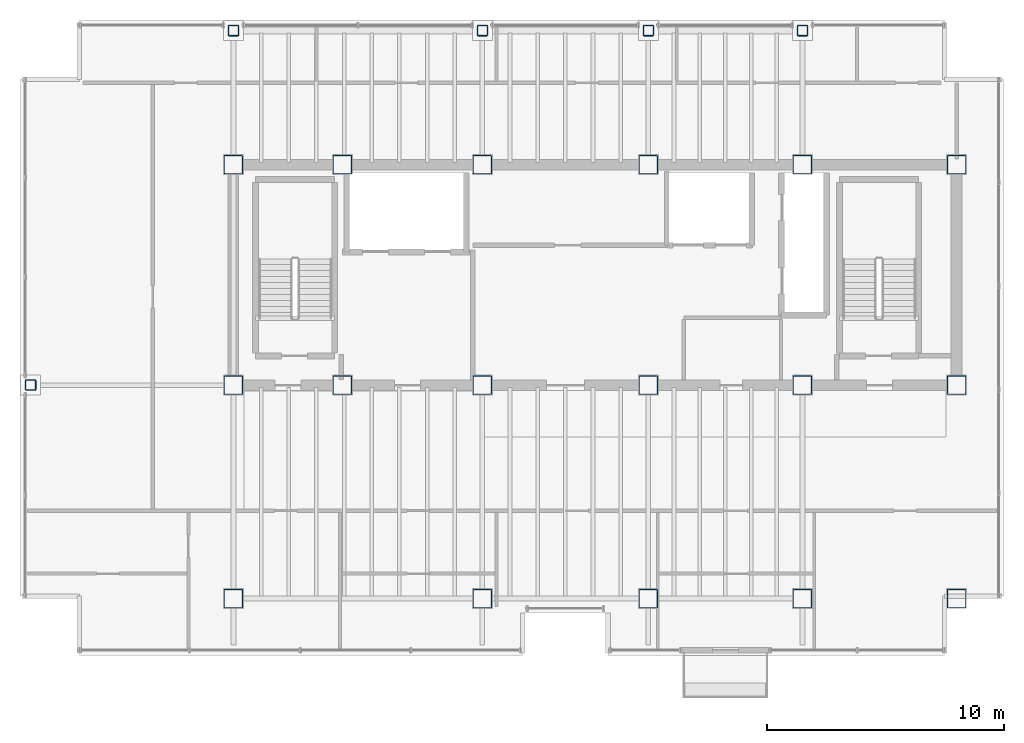
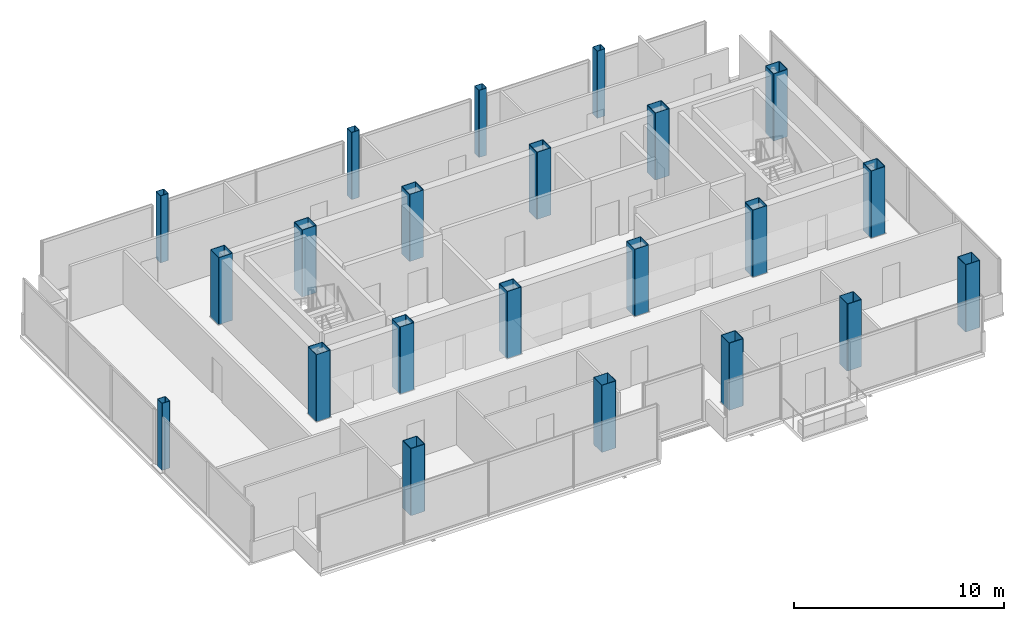
# One storey, part 1 of 17: 22 columns.
"""IFC4 building model written with IfcOpenShell, lengths in metres."""

from ifc_helpers import new_model, si_unit, direction, frame, origin, origin_2d, place, context, subcontext, project, spatial, hollow_rectangle, extrude, material, material_profile, profile_set, type_object, element, save


model = new_model("IFC4")

# Units and contexts
model_context = context("Model", 3, precision=1e-05, world=origin(), true_north=direction((0.0, 1.0)))
body_context = subcontext(model_context, "Body", "Model", "MODEL_VIEW")
ifc_project = project(units=[si_unit("LENGTHUNIT", "METRE"), si_unit("AREAUNIT", "SQUARE_METRE"), si_unit("VOLUMEUNIT", "CUBIC_METRE"), si_unit("PLANEANGLEUNIT", "RADIAN"), si_unit("MASSUNIT", "GRAM", prefix="KILO")], contexts=[model_context])

# Site, building, storey
site_placement = place(None, origin())
site = spatial("IfcSite", under=ifc_project, at=site_placement, CompositionType="ELEMENT")
building_placement = place(site_placement, origin())
building = spatial("IfcBuilding", under=site, at=building_placement, Name="Noeulbin Bourse Tower", CompositionType="ELEMENT")
storey_placement = place(building_placement, frame((0.0, 0.0, 265.699951171875)))
storey = spatial("IfcBuildingStorey", under=building, at=storey_placement, Name="L66", CompositionType="ELEMENT", Elevation=265.699951171875)

# Columns
ifc_material = material(Name="Steel S355", Category="steel")
ifc_material_profile_1 = material_profile(ifc_material, hollow_rectangle(XDim=0.449951171875, YDim=0.449951171875, WallThickness=0.02197265625, InnerFilletRadius=0.02197265625, OuterFilletRadius=0.0439453125, at=origin_2d()), Name="SHS-450x450x22", Category="LoadBearing")
ifc_profile_set_1 = profile_set([ifc_material_profile_1], Name="Steel S355")
column_type_1 = type_object("IfcColumnType", Name="COL-PER-Z3", PredefinedType="COLUMN", material=ifc_profile_set_1)
for number, where, z_axis, x_axis, name in (
    (1, (4.949951171875, 29.0, 0.0), (0.0, 0.0, 1.0), (1.0, 0.0, 0.0), "Tower Perimeter Column COL-PER-Z3 01"),
    (2, (13.5, 43.949951171875, 0.0), (0.0, 0.0, 1.0), (1.0, 0.0, 0.0), "Tower Perimeter Column COL-PER-Z3 02"),
    (3, (24.0, 43.949951171875, 0.0), (0.0, 0.0, 1.0), (1.0, 0.0, 0.0), "Tower Perimeter Column COL-PER-Z3 03"),
    (4, (31.0, 43.949951171875, 0.0), (0.0, 0.0, 1.0), (1.0, 0.0, 0.0), "Tower Perimeter Column COL-PER-Z3 04"),
    (5, (37.5, 43.949951171875, 0.0), (0.0, 0.0, 1.0), (1.0, 0.0, 0.0), "Tower Perimeter Column COL-PER-Z3 05"),
):
    element("IfcColumn", number, at=place(storey_placement, frame(where, z_axis=z_axis, x_axis=x_axis)), inside=storey, type_object=column_type_1, Name=name, PredefinedType="COLUMN", context=body_context, shape_type="SweptSolid", body=[
        extrude(hollow_rectangle(XDim=0.449951171875, YDim=0.449951171875, WallThickness=0.02197265625, InnerFilletRadius=0.02197265625, OuterFilletRadius=0.0439453125, at=origin_2d()), origin(), (0.0, 0.0, 1.0), 3.900146484375),
    ])
ifc_material_profile_2 = material_profile(ifc_material, hollow_rectangle(XDim=0.800048828125, YDim=0.800048828125, WallThickness=0.031982421875, InnerFilletRadius=0.01611328125, OuterFilletRadius=0.048095703125, at=origin_2d()), Name="BOX-800x800x32", Category="LoadBearing")
ifc_profile_set_2 = profile_set([ifc_material_profile_2], Name="Steel S355")
column_type_2 = type_object("IfcColumnType", Name="COL-TRK-Z3", PredefinedType="COLUMN", material=ifc_profile_set_2)
for number, where, z_axis, x_axis, name in (
    (6, (13.5, 29.0, 0.0), (0.0, 0.0, 1.0), (1.0, 0.0, 0.0), "Tower Trunk Mega-Column COL-TRK-Z3 01"),
    (7, (13.5, 38.300048828125, 0.0), (0.0, 0.0, 1.0), (1.0, 0.0, 0.0), "Tower Trunk Mega-Column COL-TRK-Z3 02"),
    (8, (18.10009765625, 29.0, 0.0), (0.0, 0.0, 1.0), (1.0, 0.0, 0.0), "Tower Trunk Mega-Column COL-TRK-Z3 03"),
    (9, (18.10009765625, 38.300048828125, 0.0), (0.0, 0.0, 1.0), (1.0, 0.0, 0.0), "Tower Trunk Mega-Column COL-TRK-Z3 04"),
    (10, (24.0, 29.0, 0.0), (0.0, 0.0, 1.0), (1.0, 0.0, 0.0), "Tower Trunk Mega-Column COL-TRK-Z3 05"),
    (11, (24.0, 38.300048828125, 0.0), (0.0, 0.0, 1.0), (1.0, 0.0, 0.0), "Tower Trunk Mega-Column COL-TRK-Z3 06"),
    (12, (31.0, 29.0, 0.0), (0.0, 0.0, 1.0), (1.0, 0.0, 0.0), "Tower Trunk Mega-Column COL-TRK-Z3 07"),
    (13, (31.0, 38.300048828125, 0.0), (0.0, 0.0, 1.0), (1.0, 0.0, 0.0), "Tower Trunk Mega-Column COL-TRK-Z3 08"),
    (14, (37.5, 29.0, 0.0), (0.0, 0.0, 1.0), (1.0, 0.0, 0.0), "Tower Trunk Mega-Column COL-TRK-Z3 09"),
    (15, (37.5, 38.300048828125, 0.0), (0.0, 0.0, 1.0), (1.0, 0.0, 0.0), "Tower Trunk Mega-Column COL-TRK-Z3 10"),
    (16, (44.0, 29.0, 0.0), (0.0, 0.0, 1.0), (1.0, 0.0, 0.0), "Tower Trunk Mega-Column COL-TRK-Z3 11"),
    (17, (44.0, 38.300048828125, 0.0), (0.0, 0.0, 1.0), (1.0, 0.0, 0.0), "Tower Trunk Mega-Column COL-TRK-Z3 12"),
    (18, (13.5, 20.0, 0.0), (0.0, 0.0, 1.0), (1.0, 0.0, 0.0), "Tower Trunk Mega-Column COL-TRK-Z3 13"),
    (19, (24.0, 20.0, 0.0), (0.0, 0.0, 1.0), (1.0, 0.0, 0.0), "Tower Trunk Mega-Column COL-TRK-Z3 14"),
    (20, (31.0, 20.0, 0.0), (0.0, 0.0, 1.0), (1.0, 0.0, 0.0), "Tower Trunk Mega-Column COL-TRK-Z3 15"),
    (21, (37.5, 20.0, 0.0), (0.0, 0.0, 1.0), (1.0, 0.0, 0.0), "Tower Trunk Mega-Column COL-TRK-Z3 16"),
    (22, (44.0, 20.0, 0.0), (0.0, 0.0, 1.0), (1.0, 0.0, 0.0), "Tower Trunk Mega-Column COL-TRK-Z3 17"),
):
    element("IfcColumn", number, at=place(storey_placement, frame(where, z_axis=z_axis, x_axis=x_axis)), inside=storey, type_object=column_type_2, Name=name, PredefinedType="COLUMN", context=body_context, shape_type="SweptSolid", body=[
        extrude(hollow_rectangle(XDim=0.800048828125, YDim=0.800048828125, WallThickness=0.031982421875, InnerFilletRadius=0.01611328125, OuterFilletRadius=0.048095703125, at=origin_2d()), origin(), (0.0, 0.0, 1.0), 3.900146484375),
    ])

save(model, "model.ifc")
